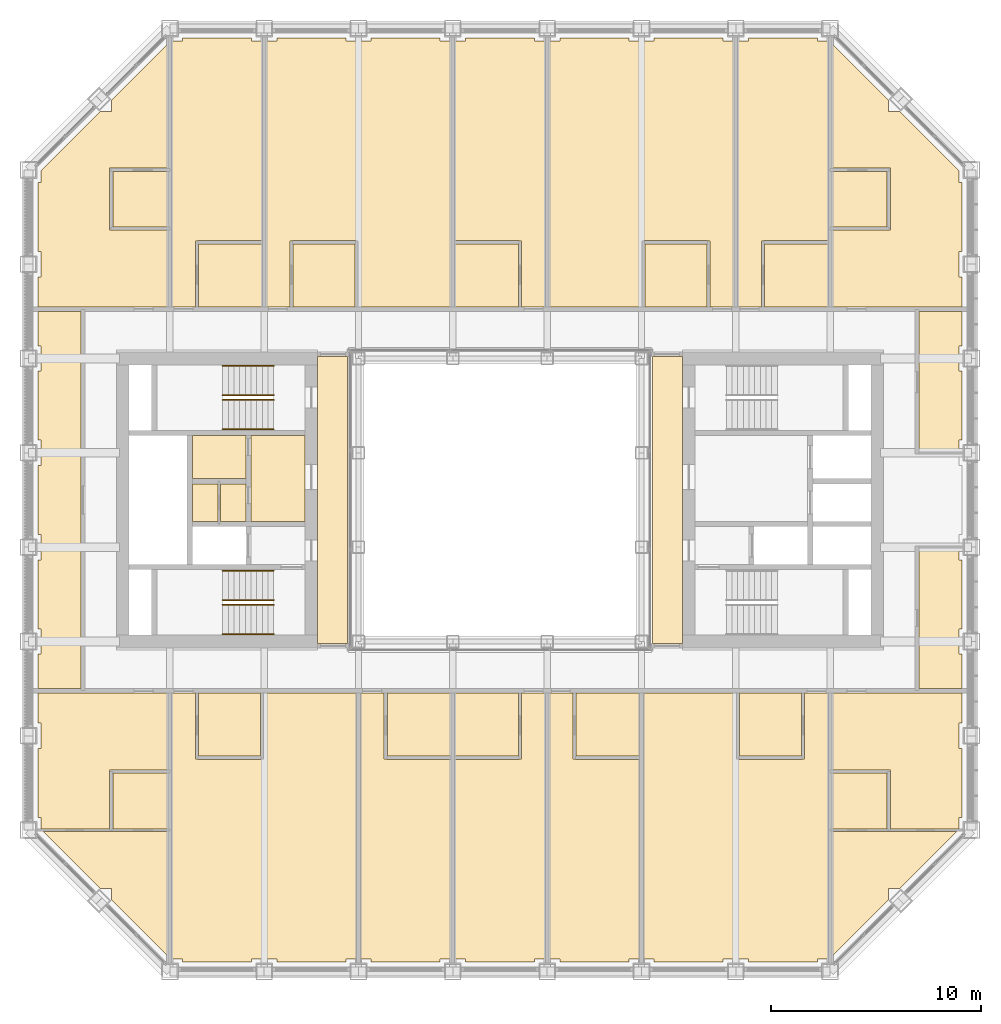
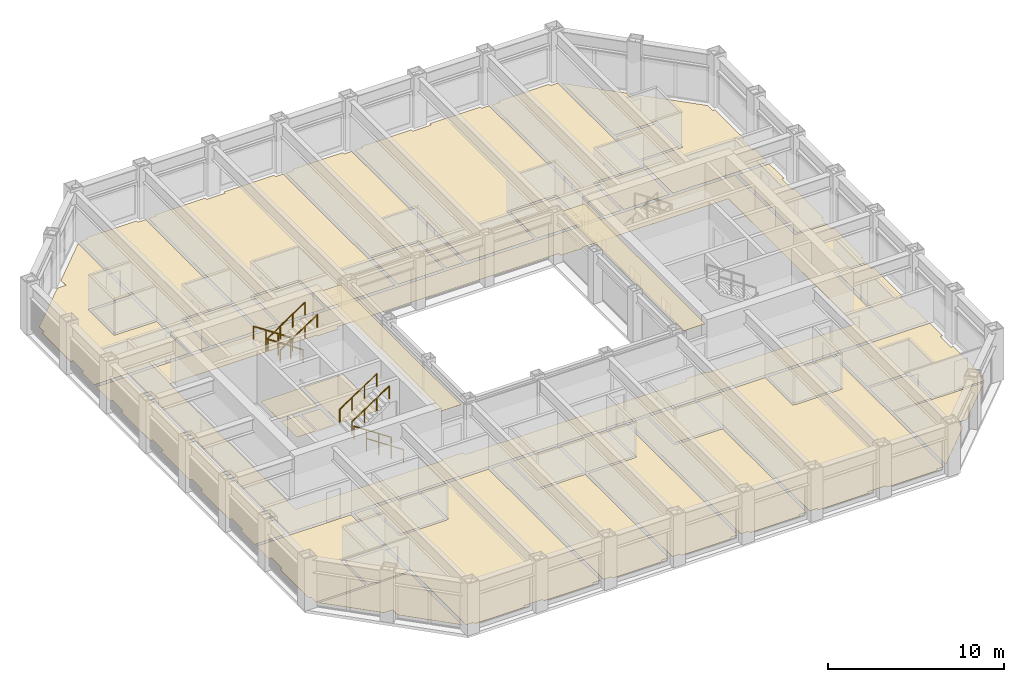
# One storey, part 15 of 17: 8 railings, 5 coverings.
"""IFC4 building model written with IfcOpenShell, lengths in metres."""

from ifc_helpers import new_model, si_unit, direction, frame, origin, origin_2d, place, context, subcontext, project, spatial, line, indexed_curve, circle, outline, extrude, material, layer, layer_set, type_object, element, save


model = new_model("IFC4")

# Units and contexts
model_context = context("Model", 3, precision=1e-05, world=origin(), true_north=direction((0.0, 1.0)))
body_context = subcontext(model_context, "Body", "Model", "MODEL_VIEW")
ifc_project = project(units=[si_unit("LENGTHUNIT", "METRE"), si_unit("AREAUNIT", "SQUARE_METRE"), si_unit("VOLUMEUNIT", "CUBIC_METRE"), si_unit("PLANEANGLEUNIT", "RADIAN"), si_unit("MASSUNIT", "GRAM", prefix="KILO")], contexts=[model_context])

# Site, building, storey
site_placement = place(None, origin())
site = spatial("IfcSite", under=ifc_project, at=site_placement, CompositionType="ELEMENT")
building_placement = place(site_placement, origin())
building = spatial("IfcBuilding", under=site, at=building_placement, Name="Msasa Ring Tower", CompositionType="ELEMENT")
storey_placement = place(building_placement, frame((0.0, 0.0, 150.800048828125)))
storey = spatial("IfcBuildingStorey", under=building, at=storey_placement, Name="L39", CompositionType="ELEMENT", Elevation=150.800048828125)

# Coverings
ifc_material_1 = material(Name="Gypsum plasterboard on a steel suspension grid", Category="steel")
ifc_layer_1 = layer(ifc_material_1, 0.014892578125)
ifc_layer_set_1 = layer_set([ifc_layer_1], Name="C1 SUSPENDED PLASTERBOARD CEILING 15")
covering_type_1 = type_object("IfcCoveringType", Name="C1 SUSPENDED PLASTERBOARD CEILING 15", PredefinedType="CEILING", material=ifc_layer_set_1)
covering_1_placement = place(storey_placement, frame((0.0, 0.0, 3.199951171875)))
element("IfcCovering", 1, at=covering_1_placement, inside=storey, type_object=covering_type_1, Name="Suspended Plasterboard Ceiling 15 public rooms L39", PredefinedType="CEILING", context=body_context, shape_type="SweptSolid", body=[
    extrude(outline(indexed_curve([(-7.280029296875, 6.849609375), (-7.280029296875, -6.849609375), (-8.699462890625, -6.849609375), (-8.699462890625, 6.849609375)], segments=[line(1, 2, 3, 4, 1)], self_intersect=False)), origin(), (0.0, 0.0, 1.0), 0.014892578125),
    extrude(outline(indexed_curve([(8.699462890625, 6.849609375), (8.699462890625, -6.849609375), (7.280029296875, -6.849609375), (7.280029296875, 6.849609375)], segments=[line(1, 2, 3, 4, 1)], self_intersect=False)), origin(), (0.0, 0.0, 1.0), 0.014892578125),
])
ifc_material_2 = material(Name="Wool-blend carpet on felt underlay", Category="textile")
ifc_layer_2 = layer(ifc_material_2, 0.011962890625)
ifc_layer_set_2 = layer_set([ifc_layer_2], Name="F2 CARPET ON UNDERLAY 12")
covering_type_2 = type_object("IfcCoveringType", Name="F2 CARPET ON UNDERLAY 12", PredefinedType="FLOORING", material=ifc_layer_set_2)
covering_2_placement = place(storey_placement, origin())
element("IfcCovering", 2, at=covering_2_placement, inside=storey, type_object=covering_type_2, Name="Carpet On Underlay 12 L39", PredefinedType="FLOORING", context=body_context, shape_type="SweptSolid", body=[
    extrude(outline(indexed_curve([(-22.049560546875, -11.8505859375), (-21.8994140625, -11.8505859375), (-21.8994140625, -10.6494140625), (-22.049560546875, -10.6494140625), (-22.049560546875, -9.200439453125), (-15.8505859375, -9.200439453125), (-15.8505859375, -12.869384765625), (-18.630615234375, -12.869384765625), (-18.630615234375, -15.694580078125), (-21.8994140625, -15.694580078125), (-21.8994140625, -15.1494140625), (-22.049560546875, -15.1494140625)], segments=[line(1, 2, 3, 4, 5, 6, 7, 8, 9, 10, 11, 12, 1)], self_intersect=False)), origin(), (0.0, 0.0, 1.0), 0.011962890625),
    extrude(outline(indexed_curve([(-18.5244140625, -19.08837890625), (-18.5244140625, -18.5244140625), (-19.08837890625, -18.5244140625), (-21.807373046875, -15.805419921875), (-15.8505859375, -15.805419921875), (-15.8505859375, -21.762451171875)], segments=[line(1, 2, 3, 4, 5, 6, 1)], self_intersect=False)), origin(), (0.0, 0.0, 1.0), 0.011962890625),
    extrude(outline(indexed_curve([(19.799560546875, -2.199951171875), (19.799560546875, -8.99951171875), (-19.799560546875, -8.99951171875), (-19.799560546875, 8.99951171875), (19.799560546875, 8.99951171875), (19.799560546875, 2.199462890625), (21.8994140625, 2.199462890625), (21.8994140625, 1.6494140625), (22.049560546875, 1.6494140625), (22.049560546875, -1.6494140625), (21.8994140625, -1.6494140625), (21.8994140625, -2.199462890625)], segments=[line(1, 2, 3, 4, 5, 6, 7, 8, 9, 10, 11, 12, 1)], self_intersect=False), holes=[indexed_curve([(18.300537109375, -7.150390625), (18.300537109375, 7.150390625), (8.699462890625, 7.150390625), (8.699462890625, 7.050537109375), (7.280029296875, 7.050537109375), (7.280517578125, 7.23046875), (7.22998046875, 7.23046875), (7.22998046875, 7.280029296875), (-7.22998046875, 7.280029296875), (-7.22998046875, 7.23046875), (-7.280517578125, 7.23046875), (-7.280029296875, 7.050537109375), (-8.699462890625, 7.050537109375), (-8.699462890625, 7.150390625), (-18.300537109375, 7.150390625), (-18.300537109375, -7.150390625), (-8.699462890625, -7.150390625), (-8.699462890625, -7.050537109375), (-7.280029296875, -7.050537109375), (-7.280517578125, -7.23046875), (-7.22998046875, -7.23046875), (-7.22998046875, -7.280029296875), (7.22998046875, -7.280029296875), (7.22998046875, -7.23046875), (7.280517578125, -7.23046875), (7.280029296875, -7.050537109375), (8.699462890625, -7.050537109375), (8.699462890625, -7.150390625)], segments=[line(1, 2, 3, 4, 5, 6, 7, 8, 9, 10, 11, 12, 13, 14, 15, 16, 17, 18, 19, 20, 21, 22, 23, 24, 25, 26, 27, 28, 1)], self_intersect=False)]), origin(), (0.0, 0.0, 1.0), 0.011962890625),
    extrude(outline(indexed_curve([(-15.6494140625, 9.200439453125), (-15.6494140625, 21.8994140625), (-15.1494140625, 21.8994140625), (-15.1494140625, 22.049560546875), (-11.8505859375, 22.049560546875), (-11.8505859375, 21.8994140625), (-11.3505859375, 21.8994140625), (-11.3505859375, 12.37548828125), (-14.39990234375, 12.37548828125), (-14.39990234375, 12.3505859375), (-14.525390625, 12.35009765625), (-14.525390625, 9.200439453125)], segments=[line(1, 2, 3, 4, 5, 6, 7, 8, 9, 10, 11, 12, 1)], self_intersect=False)), origin(), (0.0, 0.0, 1.0), 0.011962890625),
    extrude(outline(indexed_curve([(-14.674560546875, 0.7744140625), (-13.45556640625, 0.7744140625), (-13.45556640625, -1.0244140625), (-14.674560546875, -1.0244140625)], segments=[line(1, 2, 3, 4, 1)], self_intersect=False)), origin(), (0.0, 0.0, 1.0), 0.011962890625),
    extrude(outline(indexed_curve([(-6.6494140625, -9.200439453125), (-5.525390625, -9.200439453125), (-5.525390625, -12.35009765625), (-5.39990234375, -12.3505859375), (-5.39990234375, -12.37548828125), (-2.3505859375, -12.37548828125), (-2.3505859375, -21.8994140625), (-2.8505859375, -21.8994140625), (-2.8505859375, -22.049560546875), (-6.1494140625, -22.049560546875), (-6.1494140625, -21.8994140625), (-6.6494140625, -21.8994140625)], segments=[line(1, 2, 3, 4, 5, 6, 7, 8, 9, 10, 11, 12, 1)], self_intersect=False)), origin(), (0.0, 0.0, 1.0), 0.011962890625),
    extrude(outline(indexed_curve([(2.1494140625, -21.8994140625), (1.6494140625, -21.8994140625), (1.6494140625, -22.049560546875), (-1.6494140625, -22.049560546875), (-1.6494140625, -21.8994140625), (-2.1494140625, -21.8994140625), (-2.1494140625, -12.37548828125), (0.89990234375, -12.37548828125), (0.89990234375, -12.3505859375), (1.025390625, -12.35009765625), (1.025390625, -9.200439453125), (2.1494140625, -9.200439453125)], segments=[line(1, 2, 3, 4, 5, 6, 7, 8, 9, 10, 11, 12, 1)], self_intersect=False)), origin(), (0.0, 0.0, 1.0), 0.011962890625),
    extrude(outline(indexed_curve([(2.1494140625, 9.200439453125), (1.025390625, 9.200439453125), (1.025390625, 12.35009765625), (0.89990234375, 12.3505859375), (0.89990234375, 12.37548828125), (-2.1494140625, 12.37548828125), (-2.1494140625, 21.8994140625), (-1.6494140625, 21.8994140625), (-1.6494140625, 22.049560546875), (1.6494140625, 22.049560546875), (1.6494140625, 21.8994140625), (2.1494140625, 21.8994140625)], segments=[line(1, 2, 3, 4, 5, 6, 7, 8, 9, 10, 11, 12, 1)], self_intersect=False)), origin(), (0.0, 0.0, 1.0), 0.011962890625),
    extrude(outline(indexed_curve([(2.3505859375, -9.200439453125), (3.474609375, -9.200439453125), (3.474609375, -12.35009765625), (3.60009765625, -12.3505859375), (3.60009765625, -12.37548828125), (6.6494140625, -12.37548828125), (6.6494140625, -21.8994140625), (6.1494140625, -21.8994140625), (6.1494140625, -22.049560546875), (2.8505859375, -22.049560546875), (2.8505859375, -21.8994140625), (2.3505859375, -21.8994140625)], segments=[line(1, 2, 3, 4, 5, 6, 7, 8, 9, 10, 11, 12, 1)], self_intersect=False)), origin(), (0.0, 0.0, 1.0), 0.011962890625),
    extrude(outline(indexed_curve([(11.3505859375, 9.200439453125), (11.3505859375, 21.8994140625), (11.8505859375, 21.8994140625), (11.8505859375, 22.049560546875), (15.1494140625, 22.049560546875), (15.1494140625, 21.8994140625), (15.6494140625, 21.8994140625), (15.6494140625, 12.37548828125), (12.60009765625, 12.37548828125), (12.60009765625, 12.3505859375), (12.474609375, 12.35009765625), (12.474609375, 9.200439453125)], segments=[line(1, 2, 3, 4, 5, 6, 7, 8, 9, 10, 11, 12, 1)], self_intersect=False)), origin(), (0.0, 0.0, 1.0), 0.011962890625),
    extrude(outline(indexed_curve([(19.08837890625, -18.5244140625), (18.5244140625, -18.5244140625), (18.5244140625, -19.08837890625), (15.8505859375, -21.762451171875), (15.8505859375, -15.805419921875), (21.807373046875, -15.805419921875)], segments=[line(1, 2, 3, 4, 5, 6, 1)], self_intersect=False)), origin(), (0.0, 0.0, 1.0), 0.011962890625),
    extrude(outline(indexed_curve([(15.8505859375, -12.869384765625), (15.8505859375, -9.200439453125), (22.049560546875, -9.200439453125), (22.049560546875, -10.6494140625), (21.8994140625, -10.6494140625), (21.8994140625, -11.8505859375), (22.049560546875, -11.8505859375), (22.049560546875, -15.1494140625), (21.8994140625, -15.1494140625), (21.8994140625, -15.694580078125), (18.630615234375, -15.694580078125), (18.630615234375, -12.869384765625)], segments=[line(1, 2, 3, 4, 5, 6, 7, 8, 9, 10, 11, 12, 1)], self_intersect=False)), origin(), (0.0, 0.0, 1.0), 0.011962890625),
])
ifc_material_3 = material(Name="Engineered oak boards on an acoustic underlay", Category="wood")
ifc_layer_3 = layer(ifc_material_3, 0.01806640625)
ifc_layer_set_3 = layer_set([ifc_layer_3], Name="F3 ENGINEERED TIMBER ON ACOUSTIC UNDERLAY 18")
covering_type_3 = type_object("IfcCoveringType", Name="F3 ENGINEERED TIMBER ON ACOUSTIC UNDERLAY 18", PredefinedType="FLOORING", material=ifc_layer_set_3)
covering_3_placement = place(storey_placement, origin())
element("IfcCovering", 3, at=covering_3_placement, inside=storey, type_object=covering_type_3, Name="Engineered Timber On Acoustic Underlay 18 L39", PredefinedType="FLOORING", context=body_context, shape_type="SweptSolid", body=[
    extrude(outline(indexed_curve([(-18.630615234375, 12.869384765625), (-15.8505859375, 12.869384765625), (-15.8505859375, 9.200439453125), (-22.049560546875, 9.200439453125), (-22.049560546875, 10.6494140625), (-21.8994140625, 10.6494140625), (-21.8994140625, 11.8505859375), (-22.049560546875, 11.8505859375), (-22.049560546875, 15.1494140625), (-21.8994140625, 15.1494140625), (-21.8994140625, 15.71337890625), (-19.08837890625, 18.5244140625), (-18.5244140625, 18.5244140625), (-18.5244140625, 19.08837890625), (-15.8505859375, 21.762451171875), (-15.8505859375, 15.83056640625), (-18.630615234375, 15.83056640625)], segments=[line(1, 2, 3, 4, 5, 6, 7, 8, 9, 10, 11, 12, 13, 14, 15, 16, 17, 1)], self_intersect=False)), origin(), (0.0, 0.0, 1.0), 0.01806640625),
    extrude(outline(indexed_curve([(-14.525390625, -9.200439453125), (-14.525390625, -12.35009765625), (-14.39990234375, -12.3505859375), (-14.39990234375, -12.37548828125), (-11.39990234375, -12.37548828125), (-11.39990234375, -12.3505859375), (-11.2744140625, -12.35009765625), (-11.2744140625, -9.200439453125), (-6.8505859375, -9.200439453125), (-6.8505859375, -21.8994140625), (-7.3505859375, -21.8994140625), (-7.3505859375, -22.049560546875), (-10.6494140625, -22.049560546875), (-10.6494140625, -21.8994140625), (-11.8505859375, -21.8994140625), (-11.8505859375, -22.049560546875), (-15.1494140625, -22.049560546875), (-15.1494140625, -21.8994140625), (-15.6494140625, -21.8994140625), (-15.6494140625, -9.200439453125)], segments=[line(1, 2, 3, 4, 5, 6, 7, 8, 9, 10, 11, 12, 13, 14, 15, 16, 17, 18, 19, 20, 1)], self_intersect=False)), origin(), (0.0, 0.0, 1.0), 0.01806640625),
    extrude(outline(indexed_curve([(-6.89990234375, 12.3505859375), (-6.89990234375, 12.37548828125), (-9.89990234375, 12.37548828125), (-9.89990234375, 12.3505859375), (-10.025390625, 12.35009765625), (-10.025390625, 9.200439453125), (-11.1494140625, 9.200439453125), (-11.1494140625, 21.8994140625), (-10.6494140625, 21.8994140625), (-10.6494140625, 22.049560546875), (-7.3505859375, 22.049560546875), (-7.3505859375, 21.8994140625), (-6.1494140625, 21.8994140625), (-6.1494140625, 22.049560546875), (-2.8505859375, 22.049560546875), (-2.8505859375, 21.8994140625), (-2.3505859375, 21.8994140625), (-2.3505859375, 9.200439453125), (-6.7744140625, 9.200439453125), (-6.7744140625, 12.35009765625)], segments=[line(1, 2, 3, 4, 5, 6, 7, 8, 9, 10, 11, 12, 13, 14, 15, 16, 17, 18, 19, 20, 1)], self_intersect=False)), origin(), (0.0, 0.0, 1.0), 0.01806640625),
    extrude(outline(indexed_curve([(9.89990234375, 12.3505859375), (9.89990234375, 12.37548828125), (6.89990234375, 12.37548828125), (6.89990234375, 12.3505859375), (6.7744140625, 12.35009765625), (6.7744140625, 9.200439453125), (2.3505859375, 9.200439453125), (2.3505859375, 21.8994140625), (2.8505859375, 21.8994140625), (2.8505859375, 22.049560546875), (6.1494140625, 22.049560546875), (6.1494140625, 21.8994140625), (7.3505859375, 21.8994140625), (7.3505859375, 22.049560546875), (10.6494140625, 22.049560546875), (10.6494140625, 21.8994140625), (11.1494140625, 21.8994140625), (11.1494140625, 9.200439453125), (10.025390625, 9.200439453125), (10.025390625, 12.35009765625)], segments=[line(1, 2, 3, 4, 5, 6, 7, 8, 9, 10, 11, 12, 13, 14, 15, 16, 17, 18, 19, 20, 1)], self_intersect=False)), origin(), (0.0, 0.0, 1.0), 0.01806640625),
    extrude(outline(indexed_curve([(11.2744140625, -12.35009765625), (11.39990234375, -12.3505859375), (11.39990234375, -12.37548828125), (14.39990234375, -12.37548828125), (14.39990234375, -12.3505859375), (14.525390625, -12.35009765625), (14.525390625, -9.200439453125), (15.6494140625, -9.200439453125), (15.6494140625, -21.8994140625), (15.1494140625, -21.8994140625), (15.1494140625, -22.049560546875), (11.8505859375, -22.049560546875), (11.8505859375, -21.8994140625), (10.6494140625, -21.8994140625), (10.6494140625, -22.049560546875), (7.3505859375, -22.049560546875), (7.3505859375, -21.8994140625), (6.8505859375, -21.8994140625), (6.8505859375, -9.200439453125), (11.2744140625, -9.200439453125)], segments=[line(1, 2, 3, 4, 5, 6, 7, 8, 9, 10, 11, 12, 13, 14, 15, 16, 17, 18, 19, 20, 1)], self_intersect=False)), origin(), (0.0, 0.0, 1.0), 0.01806640625),
    extrude(outline(indexed_curve([(15.8505859375, 15.83056640625), (15.8505859375, 21.762451171875), (18.5244140625, 19.08837890625), (18.5244140625, 18.5244140625), (19.08837890625, 18.5244140625), (21.8994140625, 15.71337890625), (21.8994140625, 15.1494140625), (22.049560546875, 15.1494140625), (22.049560546875, 11.8505859375), (21.8994140625, 11.8505859375), (21.8994140625, 10.6494140625), (22.049560546875, 10.6494140625), (22.049560546875, 9.200439453125), (15.8505859375, 9.200439453125), (15.8505859375, 12.869384765625), (18.630615234375, 12.869384765625), (18.630615234375, 15.83056640625)], segments=[line(1, 2, 3, 4, 5, 6, 7, 8, 9, 10, 11, 12, 13, 14, 15, 16, 17, 1)], self_intersect=False)), origin(), (0.0, 0.0, 1.0), 0.01806640625),
])
ifc_material_4 = material(Name="Porcelain floor tiles in adhesive", Category="ceramic")
ifc_layer_4 = layer(ifc_material_4, 0.010009765625)
ifc_layer_set_4 = layer_set([ifc_layer_4], Name="F4 PORCELAIN TILE ON ADHESIVE 10")
covering_type_4 = type_object("IfcCoveringType", Name="F4 PORCELAIN TILE ON ADHESIVE 10", PredefinedType="FLOORING", material=ifc_layer_set_4)
covering_4_placement = place(storey_placement, origin())
element("IfcCovering", 4, at=covering_4_placement, inside=storey, type_object=covering_type_4, Name="Porcelain Tile On Adhesive 10 L39", PredefinedType="FLOORING", context=body_context, shape_type="SweptSolid", body=[
    extrude(outline(indexed_curve([(-18.469482421875, -13.030517578125), (-15.8505859375, -13.030517578125), (-15.8505859375, -15.694580078125), (-18.469482421875, -15.694580078125)], segments=[line(1, 2, 3, 4, 1)], self_intersect=False)), origin(), (0.0, 0.0, 1.0), 0.010009765625),
    extrude(outline(indexed_curve([(-15.8505859375, 15.66943359375), (-15.8505859375, 13.030517578125), (-18.469482421875, 13.030517578125), (-18.469482421875, 15.66943359375)], segments=[line(1, 2, 3, 4, 1)], self_intersect=False)), origin(), (0.0, 0.0, 1.0), 0.010009765625),
    extrude(outline(indexed_curve([(-11.425537109375, -9.200439453125), (-11.425537109375, -12.224609375), (-14.37451171875, -12.224609375), (-14.37451171875, -9.200439453125)], segments=[line(1, 2, 3, 4, 1)], self_intersect=False)), origin(), (0.0, 0.0, 1.0), 0.010009765625),
    extrude(outline(indexed_curve([(-11.3505859375, 9.200439453125), (-14.37451171875, 9.200439453125), (-14.37451171875, 12.224609375), (-11.3505859375, 12.224609375)], segments=[line(1, 2, 3, 4, 1)], self_intersect=False)), origin(), (0.0, 0.0, 1.0), 0.010009765625),
    extrude(outline(indexed_curve([(-9.87451171875, 9.200439453125), (-9.87451171875, 12.224609375), (-6.925537109375, 12.224609375), (-6.925537109375, 9.200439453125)], segments=[line(1, 2, 3, 4, 1)], self_intersect=False)), origin(), (0.0, 0.0, 1.0), 0.010009765625),
    extrude(outline(indexed_curve([(-2.3505859375, -9.200439453125), (-2.3505859375, -12.224609375), (-5.37451171875, -12.224609375), (-5.37451171875, -9.200439453125)], segments=[line(1, 2, 3, 4, 1)], self_intersect=False)), origin(), (0.0, 0.0, 1.0), 0.010009765625),
    extrude(outline(indexed_curve([(0.87451171875, -9.200439453125), (0.87451171875, -12.224609375), (-2.1494140625, -12.224609375), (-2.1494140625, -9.200439453125)], segments=[line(1, 2, 3, 4, 1)], self_intersect=False)), origin(), (0.0, 0.0, 1.0), 0.010009765625),
    extrude(outline(indexed_curve([(-2.1494140625, 9.200439453125), (-2.1494140625, 12.224609375), (0.87451171875, 12.224609375), (0.87451171875, 9.200439453125)], segments=[line(1, 2, 3, 4, 1)], self_intersect=False)), origin(), (0.0, 0.0, 1.0), 0.010009765625),
    extrude(outline(indexed_curve([(6.6494140625, -9.200439453125), (6.6494140625, -12.224609375), (3.62548828125, -12.224609375), (3.62548828125, -9.200439453125)], segments=[line(1, 2, 3, 4, 1)], self_intersect=False)), origin(), (0.0, 0.0, 1.0), 0.010009765625),
    extrude(outline(indexed_curve([(6.925537109375, 9.200439453125), (6.925537109375, 12.224609375), (9.87451171875, 12.224609375), (9.87451171875, 9.200439453125)], segments=[line(1, 2, 3, 4, 1)], self_intersect=False)), origin(), (0.0, 0.0, 1.0), 0.010009765625),
    extrude(outline(indexed_curve([(14.37451171875, -9.200439453125), (14.37451171875, -12.224609375), (11.425537109375, -12.224609375), (11.425537109375, -9.200439453125)], segments=[line(1, 2, 3, 4, 1)], self_intersect=False)), origin(), (0.0, 0.0, 1.0), 0.010009765625),
    extrude(outline(indexed_curve([(15.6494140625, 9.200439453125), (12.62548828125, 9.200439453125), (12.62548828125, 12.224609375), (15.6494140625, 12.224609375)], segments=[line(1, 2, 3, 4, 1)], self_intersect=False)), origin(), (0.0, 0.0, 1.0), 0.010009765625),
    extrude(outline(indexed_curve([(15.8505859375, -13.030517578125), (18.469482421875, -13.030517578125), (18.469482421875, -15.694580078125), (15.8505859375, -15.694580078125)], segments=[line(1, 2, 3, 4, 1)], self_intersect=False)), origin(), (0.0, 0.0, 1.0), 0.010009765625),
    extrude(outline(indexed_curve([(18.469482421875, 15.66943359375), (18.469482421875, 13.030517578125), (15.8505859375, 13.030517578125), (15.8505859375, 15.66943359375)], segments=[line(1, 2, 3, 4, 1)], self_intersect=False)), origin(), (0.0, 0.0, 1.0), 0.010009765625),
])
ifc_material_5 = material(Name="Welded vinyl safety sheet flooring", Category="vinyl")
ifc_layer_5 = layer(ifc_material_5, 0.0029296875)
ifc_layer_set_5 = layer_set([ifc_layer_5], Name="F5 RESILIENT SHEET FLOORING 3")
covering_type_5 = type_object("IfcCoveringType", Name="F5 RESILIENT SHEET FLOORING 3", PredefinedType="FLOORING", material=ifc_layer_set_5)
covering_5_placement = place(storey_placement, origin())
element("IfcCovering", 5, at=covering_5_placement, inside=storey, type_object=covering_type_5, Name="Resilient Sheet Flooring 3 L39", PredefinedType="FLOORING", context=body_context, shape_type="SweptSolid", body=[
    extrude(outline(indexed_curve([(-20.00048828125, -8.99951171875), (-22.049560546875, -8.99951171875), (-22.049560546875, -7.3505859375), (-21.8994140625, -7.3505859375), (-21.8994140625, -6.1494140625), (-22.049560546875, -6.1494140625), (-22.049560546875, -2.8505859375), (-21.8994140625, -2.8505859375), (-21.8994140625, -1.6494140625), (-22.049560546875, -1.6494140625), (-22.049560546875, 1.6494140625), (-21.8994140625, 1.6494140625), (-21.8994140625, 2.8505859375), (-22.049560546875, 2.8505859375), (-22.049560546875, 6.1494140625), (-21.8994140625, 6.1494140625), (-21.8994140625, 7.3505859375), (-22.049560546875, 7.3505859375), (-22.049560546875, 8.99951171875), (-20.00048828125, 8.99951171875)], segments=[line(1, 2, 3, 4, 5, 6, 7, 8, 9, 10, 11, 12, 13, 14, 15, 16, 17, 18, 19, 20, 1)], self_intersect=False)), origin(), (0.0, 0.0, 1.0), 0.0029296875),
    extrude(outline(indexed_curve([(-14.674560546875, 3.074462890625), (-12.12548828125, 3.074462890625), (-12.12548828125, 1.025390625), (-14.674560546875, 1.025390625)], segments=[line(1, 2, 3, 4, 1)], self_intersect=False)), origin(), (0.0, 0.0, 1.0), 0.0029296875),
    extrude(outline(indexed_curve([(-13.344482421875, 0.7744140625), (-12.12548828125, 0.7744140625), (-12.12548828125, -1.0244140625), (-13.344482421875, -1.0244140625)], segments=[line(1, 2, 3, 4, 1)], self_intersect=False)), origin(), (0.0, 0.0, 1.0), 0.0029296875),
    extrude(outline(indexed_curve([(-11.87451171875, -1.0244140625), (-11.87451171875, 3.074462890625), (-9.300537109375, 3.074462890625), (-9.300537109375, -1.0244140625)], segments=[line(1, 2, 3, 4, 1)], self_intersect=False)), origin(), (0.0, 0.0, 1.0), 0.0029296875),
    extrude(outline(indexed_curve([(22.049560546875, -6.1494140625), (21.8994140625, -6.1494140625), (21.8994140625, -7.3505859375), (22.049560546875, -7.3505859375), (22.049560546875, -8.99951171875), (20.00048828125, -8.99951171875), (20.00048828125, -2.305419921875), (21.8994140625, -2.305419921875), (21.8994140625, -2.8505859375), (22.049560546875, -2.8505859375)], segments=[line(1, 2, 3, 4, 5, 6, 7, 8, 9, 10, 1)], self_intersect=False)), origin(), (0.0, 0.0, 1.0), 0.0029296875),
    extrude(outline(indexed_curve([(20.00048828125, 2.305419921875), (20.00048828125, 8.99951171875), (22.049560546875, 8.99951171875), (22.049560546875, 7.3505859375), (21.8994140625, 7.3505859375), (21.8994140625, 6.1494140625), (22.049560546875, 6.1494140625), (22.049560546875, 2.8505859375), (21.8994140625, 2.8505859375), (21.8994140625, 2.305419921875)], segments=[line(1, 2, 3, 4, 5, 6, 7, 8, 9, 10, 1)], self_intersect=False)), origin(), (0.0, 0.0, 1.0), 0.0029296875),
])

# Railings
ifc_material_6 = material(Name="Stainless steel", Category="steel")
railing_type = type_object("IfcRailingType", Name="HR1 HANDRAIL 900", PredefinedType="HANDRAIL", material=ifc_material_6)
for number, where, name in (
    (6, (-10.800048828125, -6.39990234375, 0.179931640625), "Handrail stair SWA L39 1"),
    (7, (-10.800048828125, -5.0, 0.179931640625), "Handrail stair SWA L39 2"),
):
    element("IfcRailing", number, at=place(storey_placement, frame(where)), inside=storey, type_object=railing_type, Name=name, PredefinedType="HANDRAIL", context=body_context, shape_type="SweptSolid", body=[
        extrude(circle(Radius=0.02392578125, at=origin_2d()), frame((0.0, 0.0, 0.8759765625), z_axis=(-0.832024571796, 0.0, 0.554738778101), x_axis=(0.0, -1.0, 0.0)), (0.0, 0.0, 1.0), 2.92041015625),
        extrude(circle(Radius=0.02099609375, at=origin_2d()), origin(), (0.0, 0.0, 1.0), 0.851806640625),
        extrude(circle(Radius=0.02099609375, at=origin_2d()), frame((-0.81005859375, 0.0, 0.5400390625)), (0.0, 0.0, 1.0), 0.851806640625),
        extrude(circle(Radius=0.02099609375, at=origin_2d()), frame((-1.619873046875, 0.0, 1.080078125)), (0.0, 0.0, 1.0), 0.851806640625),
        extrude(circle(Radius=0.02099609375, at=origin_2d()), frame((-2.429931640625, 0.0, 1.6201171875)), (0.0, 0.0, 1.0), 0.851806640625),
    ])
for number, where, name in (
    (8, (-13.22998046875, -4.77490234375, 1.97998046875), "Handrail stair SWA L39 3"),
    (9, (-13.22998046875, -3.375, 1.97998046875), "Handrail stair SWA L39 4"),
):
    element("IfcRailing", number, at=place(storey_placement, frame(where)), inside=storey, type_object=railing_type, Name=name, PredefinedType="HANDRAIL", context=body_context, shape_type="SweptSolid", body=[
        extrude(circle(Radius=0.02392578125, at=origin_2d()), frame((0.0, 0.0, 0.8759765625), z_axis=(0.832063155534, 0.0, 0.554680903946), x_axis=(0.0, 1.0, 0.0)), (0.0, 0.0, 1.0), 2.92041015625),
        extrude(circle(Radius=0.02099609375, at=origin_2d()), origin(), (0.0, 0.0, 1.0), 0.851806640625),
        extrude(circle(Radius=0.02099609375, at=origin_2d()), frame((0.81005859375, 0.0, 0.5400390625)), (0.0, 0.0, 1.0), 0.851806640625),
        extrude(circle(Radius=0.02099609375, at=origin_2d()), frame((1.619873046875, 0.0, 1.079833984375)), (0.0, 0.0, 1.0), 0.851806640625),
        extrude(circle(Radius=0.02099609375, at=origin_2d()), frame((2.429931640625, 0.0, 1.619873046875)), (0.0, 0.0, 1.0), 0.851806640625),
    ])
for number, where, name in (
    (10, (-10.800048828125, 5.0, 0.179931640625), "Handrail stair SWB L39 1"),
    (11, (-10.800048828125, 6.39990234375, 0.179931640625), "Handrail stair SWB L39 2"),
):
    element("IfcRailing", number, at=place(storey_placement, frame(where)), inside=storey, type_object=railing_type, Name=name, PredefinedType="HANDRAIL", context=body_context, shape_type="SweptSolid", body=[
        extrude(circle(Radius=0.02392578125, at=origin_2d()), frame((0.0, 0.0, 0.8759765625), z_axis=(-0.832024571796, 0.0, 0.554738778101), x_axis=(0.0, -1.0, 0.0)), (0.0, 0.0, 1.0), 2.92041015625),
        extrude(circle(Radius=0.02099609375, at=origin_2d()), origin(), (0.0, 0.0, 1.0), 0.851806640625),
        extrude(circle(Radius=0.02099609375, at=origin_2d()), frame((-0.81005859375, 0.0, 0.5400390625)), (0.0, 0.0, 1.0), 0.851806640625),
        extrude(circle(Radius=0.02099609375, at=origin_2d()), frame((-1.619873046875, 0.0, 1.080078125)), (0.0, 0.0, 1.0), 0.851806640625),
        extrude(circle(Radius=0.02099609375, at=origin_2d()), frame((-2.429931640625, 0.0, 1.6201171875)), (0.0, 0.0, 1.0), 0.851806640625),
    ])
for number, where, name in (
    (12, (-13.22998046875, 3.375, 1.97998046875), "Handrail stair SWB L39 3"),
    (13, (-13.22998046875, 4.77490234375, 1.97998046875), "Handrail stair SWB L39 4"),
):
    element("IfcRailing", number, at=place(storey_placement, frame(where)), inside=storey, type_object=railing_type, Name=name, PredefinedType="HANDRAIL", context=body_context, shape_type="SweptSolid", body=[
        extrude(circle(Radius=0.02392578125, at=origin_2d()), frame((0.0, 0.0, 0.8759765625), z_axis=(0.832063155534, 0.0, 0.554680903946), x_axis=(0.0, 1.0, 0.0)), (0.0, 0.0, 1.0), 2.92041015625),
        extrude(circle(Radius=0.02099609375, at=origin_2d()), origin(), (0.0, 0.0, 1.0), 0.851806640625),
        extrude(circle(Radius=0.02099609375, at=origin_2d()), frame((0.81005859375, 0.0, 0.5400390625)), (0.0, 0.0, 1.0), 0.851806640625),
        extrude(circle(Radius=0.02099609375, at=origin_2d()), frame((1.619873046875, 0.0, 1.079833984375)), (0.0, 0.0, 1.0), 0.851806640625),
        extrude(circle(Radius=0.02099609375, at=origin_2d()), frame((2.429931640625, 0.0, 1.619873046875)), (0.0, 0.0, 1.0), 0.851806640625),
    ])

save(model, "model.ifc")
